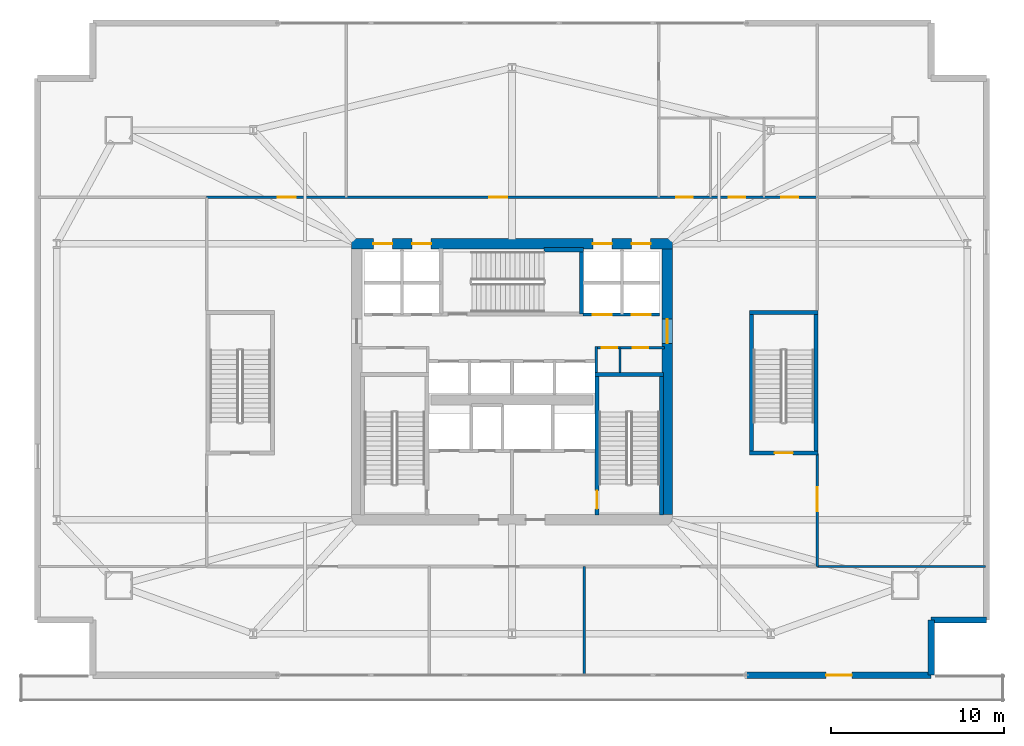
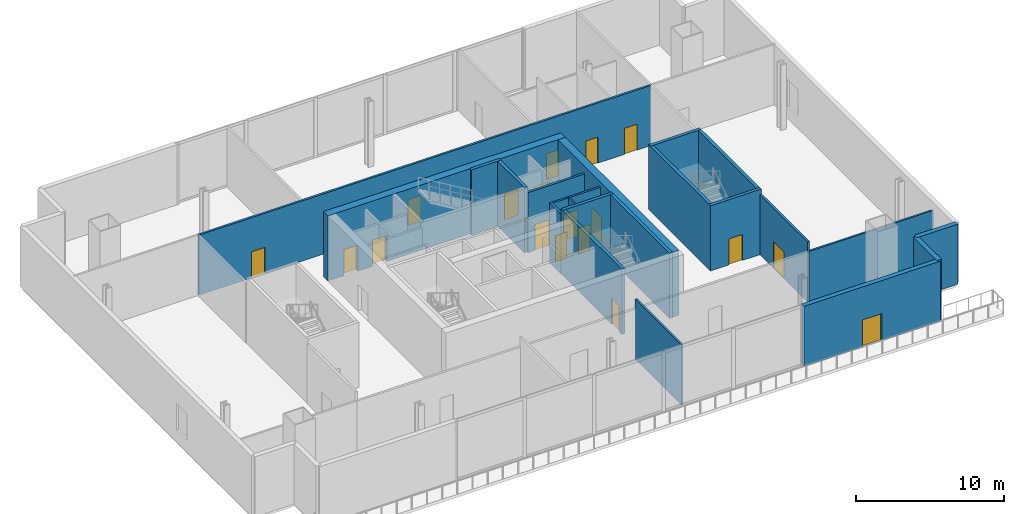
# One storey, part 11 of 16: 22 walls, 18 doors, 18 openings.
"""IFC4 building model written with IfcOpenShell, lengths in metres."""

from ifc_helpers import new_model, si_unit, direction, frame, frame_2d, origin, place, context, subcontext, project, spatial, rectangle, extrude, material, layer, layer_set, type_object, element, fill, save


model = new_model("IFC4")

# Units and contexts
model_context = context("Model", 3, precision=1e-05, world=origin(), true_north=direction((0.0, 1.0)))
body_context = subcontext(model_context, "Body", "Model", "MODEL_VIEW")
ifc_project = project(units=[si_unit("LENGTHUNIT", "METRE"), si_unit("AREAUNIT", "SQUARE_METRE"), si_unit("VOLUMEUNIT", "CUBIC_METRE"), si_unit("PLANEANGLEUNIT", "RADIAN"), si_unit("MASSUNIT", "GRAM", prefix="KILO")], contexts=[model_context])

# Site, building, storey
site_placement = place(None, origin())
site = spatial("IfcSite", under=ifc_project, at=site_placement, CompositionType="ELEMENT")
building_placement = place(site_placement, origin())
building = spatial("IfcBuilding", under=site, at=building_placement, Name="Haldenkirk Collegiate Tower", CompositionType="ELEMENT")
storey_placement = place(building_placement, frame((0.0, 0.0, 16.800048828125)))
storey = spatial("IfcBuildingStorey", under=building, at=storey_placement, Name="L03", CompositionType="ELEMENT", Elevation=16.800048828125)

# Wall, openings, doors
ifc_material_1 = material(Name="Concrete f'c 70 MPa", Category="concrete")
ifc_layer_1 = layer(ifc_material_1, 0.60009765625)
ifc_layer_set_1 = layer_set([ifc_layer_1], Name="Concrete f'c 70 MPa")
wall_type_1 = type_object("IfcWallType", Name="WL-CORE-600", PredefinedType="SHEAR", material=ifc_layer_set_1)
wall_1_placement = place(storey_placement, frame((26.699951171875, 34.0, 0.0), z_axis=(0.0, 0.0, 1.0), x_axis=(1.0, 0.0, 0.0)))
wall_1 = element("IfcWall", 1, at=wall_1_placement, inside=storey, type_object=wall_type_1, Name="L03 central core shear wall N", PredefinedType="SHEAR", context=body_context, shape_type="SweptSolid", body=[
    extrude(rectangle(XDim=18.60009765625, YDim=0.60009765625, at=frame_2d((9.300048828125, 0.0))), origin(), (0.0, 0.0, 1.0), 5.39990234375),
])
opening_1_placement = place(wall_1_placement, frame((1.264892578125, 0.0, 0.0)))
opening_1 = element("IfcOpeningElement", 2, at=opening_1_placement, cuts=wall_1, Name="Opening LD-11", PredefinedType="OPENING", context=body_context, shape_type="SweptSolid", body=[
    extrude(rectangle(XDim=1.10009765625, YDim=2.14990234375, at=frame_2d((0.550048828125, 1.074951171875))), frame((0.0, 0.31005859375, 0.0), z_axis=(0.0, -1.0, 0.0), x_axis=(1.0, 0.0, 0.0)), (0.0, 0.0, 1.0), 0.6201171875),
])
opening_2_placement = place(wall_1_placement, frame((3.514892578125, 0.0, 0.0)))
opening_2 = element("IfcOpeningElement", 3, at=opening_2_placement, cuts=wall_1, Name="Opening LD-11", PredefinedType="OPENING", context=body_context, shape_type="SweptSolid", body=[
    extrude(rectangle(XDim=1.10009765625, YDim=2.14990234375, at=frame_2d((0.550048828125, 1.074951171875))), frame((0.0, 0.31005859375, 0.0), z_axis=(0.0, -1.0, 0.0), x_axis=(1.0, 0.0, 0.0)), (0.0, 0.0, 1.0), 0.6201171875),
])
opening_3_placement = place(wall_1_placement, frame((13.985107421875, 0.0, 0.0)))
opening_3 = element("IfcOpeningElement", 4, at=opening_3_placement, cuts=wall_1, Name="Opening LD-11", PredefinedType="OPENING", context=body_context, shape_type="SweptSolid", body=[
    extrude(rectangle(XDim=1.10009765625, YDim=2.14990234375, at=frame_2d((0.550048828125, 1.074951171875))), frame((0.0, 0.31005859375, 0.0), z_axis=(0.0, -1.0, 0.0), x_axis=(1.0, 0.0, 0.0)), (0.0, 0.0, 1.0), 0.6201171875),
])
opening_4_placement = place(wall_1_placement, frame((16.235107421875, 0.0, 0.0)))
opening_4 = element("IfcOpeningElement", 5, at=opening_4_placement, cuts=wall_1, Name="Opening LD-11", PredefinedType="OPENING", context=body_context, shape_type="SweptSolid", body=[
    extrude(rectangle(XDim=1.10009765625, YDim=2.14990234375, at=frame_2d((0.550048828125, 1.074951171875))), frame((0.0, 0.31005859375, 0.0), z_axis=(0.0, -1.0, 0.0), x_axis=(1.0, 0.0, 0.0)), (0.0, 0.0, 1.0), 0.6201171875),
])
ifc_material_2 = material(Name="Brushed architectural stainless steel", Category="steel")
ifc_layer_2 = layer(ifc_material_2, 0.06005859375)
ifc_layer_set_2 = layer_set([ifc_layer_2], Name="Brushed architectural stainless steel")
door_type_1 = type_object("IfcDoorType", Name="LD-PASS-1100", OperationType="NOTDEFINED", PredefinedType="DOOR", material=ifc_layer_set_2)
door_1_placement = place(opening_1_placement, origin())
door_1 = element("IfcDoor", 6, at=door_1_placement, inside=storey, type_object=door_type_1, Name="L03 Elevator PL3 sliding landing door", OperationType="SLIDING_TO_LEFT", OverallHeight=2.14990234375, OverallWidth=1.10009765625, PredefinedType="DOOR", context=body_context, shape_type="SweptSolid", body=[
    extrude(rectangle(XDim=1.10009765625, YDim=2.14990234375, at=frame_2d((0.550048828125, 1.074951171875))), frame((0.0, 0.02490234375, 0.0), z_axis=(0.0, -1.0, 0.0), x_axis=(1.0, 0.0, 0.0)), (0.0, 0.0, 1.0), 0.050048828125),
])
fill(opening_1, door_1)
door_2_placement = place(opening_2_placement, origin())
door_2 = element("IfcDoor", 7, at=door_2_placement, inside=storey, type_object=door_type_1, Name="L03 Elevator PL4 sliding landing door", OperationType="SLIDING_TO_LEFT", OverallHeight=2.14990234375, OverallWidth=1.10009765625, PredefinedType="DOOR", context=body_context, shape_type="SweptSolid", body=[
    extrude(rectangle(XDim=1.10009765625, YDim=2.14990234375, at=frame_2d((0.550048828125, 1.074951171875))), frame((0.0, 0.02490234375, 0.0), z_axis=(0.0, -1.0, 0.0), x_axis=(1.0, 0.0, 0.0)), (0.0, 0.0, 1.0), 0.050048828125),
])
fill(opening_2, door_2)
door_3_placement = place(opening_3_placement, origin())
door_3 = element("IfcDoor", 8, at=door_3_placement, inside=storey, type_object=door_type_1, Name="L03 Elevator PM3 sliding landing door", OperationType="SLIDING_TO_LEFT", OverallHeight=2.14990234375, OverallWidth=1.10009765625, PredefinedType="DOOR", context=body_context, shape_type="SweptSolid", body=[
    extrude(rectangle(XDim=1.10009765625, YDim=2.14990234375, at=frame_2d((0.550048828125, 1.074951171875))), frame((0.0, 0.02490234375, 0.0), z_axis=(0.0, -1.0, 0.0), x_axis=(1.0, 0.0, 0.0)), (0.0, 0.0, 1.0), 0.050048828125),
])
fill(opening_3, door_3)
door_4_placement = place(opening_4_placement, origin())
door_4 = element("IfcDoor", 9, at=door_4_placement, inside=storey, type_object=door_type_1, Name="L03 Elevator PM4 sliding landing door", OperationType="SLIDING_TO_LEFT", OverallHeight=2.14990234375, OverallWidth=1.10009765625, PredefinedType="DOOR", context=body_context, shape_type="SweptSolid", body=[
    extrude(rectangle(XDim=1.10009765625, YDim=2.14990234375, at=frame_2d((0.550048828125, 1.074951171875))), frame((0.0, 0.02490234375, 0.0), z_axis=(0.0, -1.0, 0.0), x_axis=(1.0, 0.0, 0.0)), (0.0, 0.0, 1.0), 0.050048828125),
])
fill(opening_4, door_4)

# Wall, opening, door
wall_2_placement = place(storey_placement, frame((45.0, 18.300048828125, 0.0), z_axis=(0.0, 0.0, 1.0), x_axis=(0.0, 1.0, 0.0)))
wall_2 = element("IfcWall", 10, at=wall_2_placement, inside=storey, type_object=wall_type_1, Name="L03 central core shear wall E", PredefinedType="SHEAR", context=body_context, shape_type="SweptSolid", body=[
    extrude(rectangle(XDim=15.39990234375, YDim=0.60009765625, at=frame_2d((7.699951171875, 0.0))), origin(), (0.0, 0.0, 1.0), 5.39990234375),
])
opening_5_placement = place(wall_2_placement, frame((9.93994140625, 0.0, 0.0)))
opening_5 = element("IfcOpeningElement", 11, at=opening_5_placement, cuts=wall_2, Name="Opening D-03", PredefinedType="OPENING", context=body_context, shape_type="SweptSolid", body=[
    extrude(rectangle(XDim=1.39990234375, YDim=2.199951171875, at=frame_2d((0.699951171875, 1.10009765625))), frame((0.0, 0.31005859375, 0.0), z_axis=(0.0, -1.0, 0.0), x_axis=(1.0, 0.0, 0.0)), (0.0, 0.0, 1.0), 0.6201171875),
])
ifc_material_3 = material(Name="Galvanized fire-rated hollow steel door", Category="steel")
ifc_layer_3 = layer(ifc_material_3, 0.06005859375)
ifc_layer_set_3 = layer_set([ifc_layer_3], Name="Galvanized fire-rated hollow steel door")
door_type_2 = type_object("IfcDoorType", Name="DR-LOBBY-FD90-1400", OperationType="NOTDEFINED", PredefinedType="DOOR", material=ifc_layer_set_3)
door_5_placement = place(opening_5_placement, origin())
door_5 = element("IfcDoor", 12, at=door_5_placement, inside=storey, type_object=door_type_2, Name="L03 east lift lobby portal", OperationType="DOUBLE_DOOR_SINGLE_SWING", OverallHeight=2.199951171875, OverallWidth=1.39990234375, PredefinedType="DOOR", context=body_context, shape_type="SweptSolid", body=[
    extrude(rectangle(XDim=1.39990234375, YDim=2.199951171875, at=frame_2d((0.699951171875, 1.10009765625))), frame((0.0, 0.02490234375, 0.0), z_axis=(0.0, -1.0, 0.0), x_axis=(1.0, 0.0, 0.0)), (0.0, 0.0, 1.0), 0.050048828125),
])
fill(opening_5, door_5)

ifc_material_4 = material(Name="Precast concrete f'c 40 MPa", Category="concrete")
ifc_layer_4 = layer(ifc_material_4, 0.360107421875)
ifc_layer_set_4 = layer_set([ifc_layer_4], Name="Precast concrete f'c 40 MPa")
wall_type_2 = type_object("IfcWallType", Name="WL-EXT-POD-360", PredefinedType="STANDARD", material=ifc_layer_set_4)
wall_3_placement = place(storey_placement, frame((60.300048828125, 9.0, 0.0), z_axis=(0.0, 0.0, 1.0), x_axis=(-1.0, 0.0, 0.0)))
wall_3 = element("IfcWall", 13, at=wall_3_placement, inside=storey, type_object=wall_type_2, Name="L03 podium precast frame pier 1L", PredefinedType="STANDARD", context=body_context, shape_type="SweptSolid", body=[
    extrude(rectangle(XDim=10.692138671875, YDim=0.360107421875, at=frame_2d((5.34619140625, 0.0))), origin(), (0.0, 0.0, 1.0), 4.97998046875),
])
opening_6_placement = place(wall_3_placement, frame((4.595947265625, 0.0, 0.0)))
opening_6 = element("IfcOpeningElement", 14, at=opening_6_placement, cuts=wall_3, Name="Opening D-PT15", PredefinedType="OPENING", context=body_context, shape_type="SweptSolid", body=[
    extrude(rectangle(XDim=1.5, YDim=2.25, at=frame_2d((0.75, 1.125))), frame((0.0, 0.18994140625, 0.0), z_axis=(0.0, -1.0, 0.0), x_axis=(1.0, 0.0, 0.0)), (0.0, 0.0, 1.0), 0.380126953125),
])
ifc_material_5 = material(Name="Anodised architectural bronze aluminium", Category="aluminium")
ifc_layer_5 = layer(ifc_material_5, 0.080078125)
ifc_layer_set_5 = layer_set([ifc_layer_5], Name="Anodised architectural bronze aluminium")
door_type_3 = type_object("IfcDoorType", Name="DR-EXT-PTER-1500", OperationType="NOTDEFINED", PredefinedType="DOOR", material=ifc_layer_set_5)
door_6_placement = place(opening_6_placement, origin())
door_6 = element("IfcDoor", 15, at=door_6_placement, inside=storey, type_object=door_type_3, Name="L03 south cascade terrace door", OperationType="DOUBLE_DOOR_SINGLE_SWING", OverallHeight=2.25, OverallWidth=1.5, PredefinedType="DOOR", context=body_context, shape_type="SweptSolid", body=[
    extrude(rectangle(XDim=1.5, YDim=2.25, at=frame_2d((0.75, 1.125))), frame((0.0, 0.02490234375, 0.0), z_axis=(0.0, -1.0, 0.0), x_axis=(1.0, 0.0, 0.0)), (0.0, 0.0, 1.0), 0.050048828125),
])
fill(opening_6, door_6)

# Walls
for number, where, z_axis, x_axis, name in (
    (16, (60.300048828125, 12.199951171875, 0.0), (0.0, 0.0, 1.0), (0.0, -1.0, 0.0), "L03 podium bronze precast wall 02"),
    (17, (63.5, 12.199951171875, 0.0), (0.0, 0.0, 1.0), (-1.0, 0.0, 0.0), "L03 podium bronze precast wall 03"),
):
    element("IfcWall", number, at=place(storey_placement, frame(where, z_axis=z_axis, x_axis=x_axis)), inside=storey, type_object=wall_type_2, Name=name, PredefinedType="STANDARD", context=body_context, shape_type="SweptSolid", body=[
        extrude(rectangle(XDim=3.199951171875, YDim=0.360107421875, at=frame_2d((1.60009765625, 0.0))), origin(), (0.0, 0.0, 1.0), 4.97998046875),
    ])

# Wall, openings, doors
ifc_material_6 = material(Name="Acoustic fire-rated gypsum partition", Category="concrete")
ifc_layer_6 = layer(ifc_material_6, 0.159912109375)
ifc_layer_set_6 = layer_set([ifc_layer_6], Name="Acoustic fire-rated gypsum partition")
wall_type_3 = type_object("IfcWallType", Name="WL-INT-CORR-160", PredefinedType="PARTITIONING", material=ifc_layer_set_6)
wall_4_placement = place(storey_placement, frame((40.800048828125, 27.97998046875, 0.0), z_axis=(0.0, 0.0, 1.0), x_axis=(1.0, 0.0, 0.0)))
wall_4 = element("IfcWall", 18, at=wall_4_placement, inside=storey, type_object=wall_type_3, Name="L03 interior partition IW-L03-VCSE-N", PredefinedType="PARTITIONING", context=body_context, shape_type="SweptSolid", body=[
    extrude(rectangle(XDim=4.050048828125, YDim=0.159912109375, at=frame_2d((2.02490234375, 0.0))), origin(), (0.0, 0.0, 1.0), 4.97998046875),
])
opening_7_placement = place(wall_4_placement, frame((0.407470703125, 0.0, 0.0)))
opening_7 = element("IfcOpeningElement", 19, at=opening_7_placement, cuts=wall_4, Name="Opening D-11", PredefinedType="OPENING", context=body_context, shape_type="SweptSolid", body=[
    extrude(rectangle(XDim=0.89990234375, YDim=2.14990234375, at=frame_2d((0.449951171875, 1.074951171875))), frame((0.0, 0.08984375, 0.0), z_axis=(0.0, -1.0, 0.0), x_axis=(1.0, 0.0, 0.0)), (0.0, 0.0, 1.0), 0.179931640625),
])
opening_8_placement = place(wall_4_placement, frame((2.199951171875, 0.0, 0.0)))
opening_8 = element("IfcOpeningElement", 20, at=opening_8_placement, cuts=wall_4, Name="Opening D-11", PredefinedType="OPENING", context=body_context, shape_type="SweptSolid", body=[
    extrude(rectangle(XDim=0.89990234375, YDim=2.14990234375, at=frame_2d((0.449951171875, 1.074951171875))), frame((0.0, 0.08984375, 0.0), z_axis=(0.0, -1.0, 0.0), x_axis=(1.0, 0.0, 0.0)), (0.0, 0.0, 1.0), 0.179931640625),
])
ifc_material_7 = material(Name="Solid-core architectural oak fire door", Category="wood")
ifc_layer_7 = layer(ifc_material_7, 0.06005859375)
ifc_layer_set_7 = layer_set([ifc_layer_7], Name="Solid-core architectural oak fire door")
door_type_4 = type_object("IfcDoorType", Name="DR-INT-FD60-900", OperationType="NOTDEFINED", PredefinedType="DOOR", material=ifc_layer_set_7)
door_7_placement = place(opening_7_placement, origin())
door_7 = element("IfcDoor", 21, at=door_7_placement, inside=storey, type_object=door_type_4, Name="L03 core copy room door", OperationType="SINGLE_SWING_RIGHT", OverallHeight=2.14990234375, OverallWidth=0.89990234375, PredefinedType="DOOR", context=body_context, shape_type="SweptSolid", body=[
    extrude(rectangle(XDim=0.89990234375, YDim=2.14990234375, at=frame_2d((0.449951171875, 1.074951171875))), frame((0.0, 0.02490234375, 0.0), z_axis=(0.0, -1.0, 0.0), x_axis=(1.0, 0.0, 0.0)), (0.0, 0.0, 1.0), 0.050048828125),
])
fill(opening_7, door_7)
door_8_placement = place(opening_8_placement, origin())
door_8 = element("IfcDoor", 22, at=door_8_placement, inside=storey, type_object=door_type_4, Name="L03 core records store door", OperationType="SINGLE_SWING_LEFT", OverallHeight=2.14990234375, OverallWidth=0.89990234375, PredefinedType="DOOR", context=body_context, shape_type="SweptSolid", body=[
    extrude(rectangle(XDim=0.89990234375, YDim=2.14990234375, at=frame_2d((0.449951171875, 1.074951171875))), frame((0.0, 0.02490234375, 0.0), z_axis=(0.0, -1.0, 0.0), x_axis=(1.0, 0.0, 0.0)), (0.0, 0.0, 1.0), 0.050048828125),
])
fill(opening_8, door_8)

# Wall
wall_5_placement = place(storey_placement, frame((40.8798828125, 26.5400390625, 0.0), z_axis=(0.0, 0.0, 1.0), x_axis=(0.0, 1.0, 0.0)))
element("IfcWall", 23, at=wall_5_placement, inside=storey, type_object=wall_type_3, Name="L03 interior partition IW-L03-VCSE-W", PredefinedType="PARTITIONING", context=body_context, shape_type="SweptSolid", body=[
    extrude(rectangle(XDim=1.510009765625, YDim=0.159912109375, at=frame_2d((0.7548828125, 0.0))), origin(), (0.0, 0.0, 1.0), 4.97998046875),
])

# Wall, openings, doors
wall_6_placement = place(storey_placement, frame((18.300048828125, 36.699951171875, 0.0), z_axis=(0.0, 0.0, 1.0), x_axis=(1.0, 0.0, 0.0)))
wall_6 = element("IfcWall", 24, at=wall_6_placement, inside=storey, type_object=wall_type_3, Name="L03 interior partition IW-L03-CN", PredefinedType="PARTITIONING", context=body_context, shape_type="SweptSolid", body=[
    extrude(rectangle(XDim=35.39990234375, YDim=0.159912109375, at=frame_2d((17.699951171875, 0.0))), origin(), (0.0, 0.0, 1.0), 4.97998046875),
])
opening_9_placement = place(wall_6_placement, frame((4.125, 0.0, 0.0)))
opening_9 = element("IfcOpeningElement", 25, at=opening_9_placement, cuts=wall_6, Name="Opening D-09", PredefinedType="OPENING", context=body_context, shape_type="SweptSolid", body=[
    extrude(rectangle(XDim=1.050048828125, YDim=2.14990234375, at=frame_2d((0.52490234375, 1.074951171875))), frame((0.0, 0.08984375, 0.0), z_axis=(0.0, -1.0, 0.0), x_axis=(1.0, 0.0, 0.0)), (0.0, 0.0, 1.0), 0.179931640625),
])
opening_10_placement = place(wall_6_placement, frame((16.375, 0.0, 0.0)))
opening_10 = element("IfcOpeningElement", 26, at=opening_10_placement, cuts=wall_6, Name="Opening D-09", PredefinedType="OPENING", context=body_context, shape_type="SweptSolid", body=[
    extrude(rectangle(XDim=1.050048828125, YDim=2.14990234375, at=frame_2d((0.52490234375, 1.074951171875))), frame((0.0, 0.08984375, 0.0), z_axis=(0.0, -1.0, 0.0), x_axis=(1.0, 0.0, 0.0)), (0.0, 0.0, 1.0), 0.179931640625),
])
opening_11_placement = place(wall_6_placement, frame((27.22509765625, 0.0, 0.0)))
opening_11 = element("IfcOpeningElement", 27, at=opening_11_placement, cuts=wall_6, Name="Opening D-12", PredefinedType="OPENING", context=body_context, shape_type="SweptSolid", body=[
    extrude(rectangle(XDim=0.949951171875, YDim=2.14990234375, at=frame_2d((0.47509765625, 1.074951171875))), frame((0.0, 0.08984375, 0.0), z_axis=(0.0, -1.0, 0.0), x_axis=(1.0, 0.0, 0.0)), (0.0, 0.0, 1.0), 0.179931640625),
])
opening_12_placement = place(wall_6_placement, frame((30.27490234375, 0.0, 0.0)))
opening_12 = element("IfcOpeningElement", 28, at=opening_12_placement, cuts=wall_6, Name="Opening D-12", PredefinedType="OPENING", context=body_context, shape_type="SweptSolid", body=[
    extrude(rectangle(XDim=0.949951171875, YDim=2.14990234375, at=frame_2d((0.47509765625, 1.074951171875))), frame((0.0, 0.08984375, 0.0), z_axis=(0.0, -1.0, 0.0), x_axis=(1.0, 0.0, 0.0)), (0.0, 0.0, 1.0), 0.179931640625),
])
opening_13_placement = place(wall_6_placement, frame((33.300048828125, 0.0, 0.0)))
opening_13 = element("IfcOpeningElement", 29, at=opening_13_placement, cuts=wall_6, Name="Opening D-14", PredefinedType="OPENING", context=body_context, shape_type="SweptSolid", body=[
    extrude(rectangle(XDim=1.0, YDim=2.14990234375, at=frame_2d((0.5, 1.074951171875))), frame((0.0, 0.08984375, 0.0), z_axis=(0.0, -1.0, 0.0), x_axis=(1.0, 0.0, 0.0)), (0.0, 0.0, 1.0), 0.179931640625),
])
ifc_layer_8 = layer(ifc_material_7, 0.06005859375)
ifc_layer_set_8 = layer_set([ifc_layer_8], Name="Solid-core architectural oak fire door")
door_type_5 = type_object("IfcDoorType", Name="DR-INT-ACC-1000", OperationType="NOTDEFINED", PredefinedType="DOOR", material=ifc_layer_set_8)
door_9_placement = place(opening_13_placement, origin())
door_9 = element("IfcDoor", 30, at=door_9_placement, inside=storey, type_object=door_type_5, Name="L03 Accessible WC door", OperationType="SINGLE_SWING_LEFT", OverallHeight=2.14990234375, OverallWidth=1.0, PredefinedType="DOOR", context=body_context, shape_type="SweptSolid", body=[
    extrude(rectangle(XDim=1.0, YDim=2.14990234375, at=frame_2d((0.5, 1.074951171875))), frame((0.0, 0.02490234375, 0.0), z_axis=(0.0, -1.0, 0.0), x_axis=(1.0, 0.0, 0.0)), (0.0, 0.0, 1.0), 0.050048828125),
])
fill(opening_13, door_9)
ifc_layer_9 = layer(ifc_material_7, 0.06005859375)
ifc_layer_set_9 = layer_set([ifc_layer_9], Name="Solid-core architectural oak fire door")
door_type_6 = type_object("IfcDoorType", Name="DR-INT-FD60-1050", OperationType="NOTDEFINED", PredefinedType="DOOR", material=ifc_layer_set_9)
door_10_placement = place(opening_9_placement, origin())
door_10 = element("IfcDoor", 31, at=door_10_placement, inside=storey, type_object=door_type_6, Name="L03 north-west door", OperationType="SINGLE_SWING_RIGHT", OverallHeight=2.14990234375, OverallWidth=1.050048828125, PredefinedType="DOOR", context=body_context, shape_type="SweptSolid", body=[
    extrude(rectangle(XDim=1.050048828125, YDim=2.14990234375, at=frame_2d((0.52490234375, 1.074951171875))), frame((0.0, 0.02490234375, 0.0), z_axis=(0.0, -1.0, 0.0), x_axis=(1.0, 0.0, 0.0)), (0.0, 0.0, 1.0), 0.050048828125),
])
fill(opening_9, door_10)
door_11_placement = place(opening_10_placement, origin())
door_11 = element("IfcDoor", 32, at=door_11_placement, inside=storey, type_object=door_type_6, Name="L03 north door", OperationType="SINGLE_SWING_LEFT", OverallHeight=2.14990234375, OverallWidth=1.050048828125, PredefinedType="DOOR", context=body_context, shape_type="SweptSolid", body=[
    extrude(rectangle(XDim=1.050048828125, YDim=2.14990234375, at=frame_2d((0.52490234375, 1.074951171875))), frame((0.0, 0.02490234375, 0.0), z_axis=(0.0, -1.0, 0.0), x_axis=(1.0, 0.0, 0.0)), (0.0, 0.0, 1.0), 0.050048828125),
])
fill(opening_10, door_11)
ifc_layer_10 = layer(ifc_material_7, 0.06005859375)
ifc_layer_set_10 = layer_set([ifc_layer_10], Name="Solid-core architectural oak fire door")
door_type_7 = type_object("IfcDoorType", Name="DR-INT-STD-950", OperationType="NOTDEFINED", PredefinedType="DOOR", material=ifc_layer_set_10)
door_12_placement = place(opening_11_placement, origin())
door_12 = element("IfcDoor", 33, at=door_12_placement, inside=storey, type_object=door_type_7, Name="L03 Male WC door", OperationType="SINGLE_SWING_LEFT", OverallHeight=2.14990234375, OverallWidth=0.949951171875, PredefinedType="DOOR", context=body_context, shape_type="SweptSolid", body=[
    extrude(rectangle(XDim=0.949951171875, YDim=2.14990234375, at=frame_2d((0.47509765625, 1.074951171875))), frame((0.0, 0.02490234375, 0.0), z_axis=(0.0, -1.0, 0.0), x_axis=(1.0, 0.0, 0.0)), (0.0, 0.0, 1.0), 0.050048828125),
])
fill(opening_11, door_12)
door_13_placement = place(opening_12_placement, origin())
door_13 = element("IfcDoor", 34, at=door_13_placement, inside=storey, type_object=door_type_7, Name="L03 Female WC door", OperationType="SINGLE_SWING_RIGHT", OverallHeight=2.14990234375, OverallWidth=0.949951171875, PredefinedType="DOOR", context=body_context, shape_type="SweptSolid", body=[
    extrude(rectangle(XDim=0.949951171875, YDim=2.14990234375, at=frame_2d((0.47509765625, 1.074951171875))), frame((0.0, 0.02490234375, 0.0), z_axis=(0.0, -1.0, 0.0), x_axis=(1.0, 0.0, 0.0)), (0.0, 0.0, 1.0), 0.050048828125),
])
fill(opening_12, door_13)

# Wall, opening, door
wall_7_placement = place(storey_placement, frame((53.699951171875, 15.300048828125, 0.0), z_axis=(0.0, 0.0, 1.0), x_axis=(0.0, 1.0, 0.0)))
wall_7 = element("IfcWall", 35, at=wall_7_placement, inside=storey, type_object=wall_type_3, Name="L03 interior partition IW-L03-CE1", PredefinedType="PARTITIONING", context=body_context, shape_type="SweptSolid", body=[
    extrude(rectangle(XDim=6.550048828125, YDim=0.159912109375, at=frame_2d((3.27490234375, 0.0))), origin(), (0.0, 0.0, 1.0), 4.97998046875),
])
opening_14_placement = place(wall_7_placement, frame((3.199951171875, 0.0, 0.0)))
opening_14 = element("IfcOpeningElement", 36, at=opening_14_placement, cuts=wall_7, Name="Opening D-07", PredefinedType="OPENING", context=body_context, shape_type="SweptSolid", body=[
    extrude(rectangle(XDim=1.39990234375, YDim=2.199951171875, at=frame_2d((0.699951171875, 1.10009765625))), frame((0.0, 0.08984375, 0.0), z_axis=(0.0, -1.0, 0.0), x_axis=(1.0, 0.0, 0.0)), (0.0, 0.0, 1.0), 0.179931640625),
])
ifc_layer_11 = layer(ifc_material_3, 0.06005859375)
ifc_layer_set_11 = layer_set([ifc_layer_11], Name="Galvanized fire-rated hollow steel door")
door_type_8 = type_object("IfcDoorType", Name="DR-LOBBY-FD60-1400", OperationType="NOTDEFINED", PredefinedType="DOOR", material=ifc_layer_set_11)
door_14_placement = place(opening_14_placement, origin())
door_14 = element("IfcDoor", 37, at=door_14_placement, inside=storey, type_object=door_type_8, Name="L03 east wing door", OperationType="DOUBLE_DOOR_SINGLE_SWING", OverallHeight=2.199951171875, OverallWidth=1.39990234375, PredefinedType="DOOR", context=body_context, shape_type="SweptSolid", body=[
    extrude(rectangle(XDim=1.39990234375, YDim=2.199951171875, at=frame_2d((0.699951171875, 1.10009765625))), frame((0.0, 0.02490234375, 0.0), z_axis=(0.0, -1.0, 0.0), x_axis=(1.0, 0.0, 0.0)), (0.0, 0.0, 1.0), 0.050048828125),
])
fill(opening_14, door_14)

# Walls
ifc_layer_12 = layer(ifc_material_6, 0.139892578125)
ifc_layer_set_12 = layer_set([ifc_layer_12], Name="Acoustic fire-rated gypsum partition")
wall_type_4 = type_object("IfcWallType", Name="WL-INT-DIV-140", PredefinedType="PARTITIONING", material=ifc_layer_set_12)
wall_8_placement = place(storey_placement, frame((53.699951171875, 15.300048828125, 0.0), z_axis=(0.0, 0.0, 1.0), x_axis=(1.0, 0.0, 0.0)))
element("IfcWall", 38, at=wall_8_placement, inside=storey, type_object=wall_type_4, Name="L03 interior partition IW-L03-ECS1", PredefinedType="PARTITIONING", context=body_context, shape_type="SweptSolid", body=[
    extrude(rectangle(XDim=9.760009765625, YDim=0.139892578125, at=frame_2d((4.8798828125, 0.0))), origin(), (0.0, 0.0, 1.0), 4.201904296875),
])
wall_9_placement = place(storey_placement, frame((40.199951171875, 9.0400390625, 0.0), z_axis=(0.0, 0.0, 1.0), x_axis=(0.0, 1.0, 0.0)))
element("IfcWall", 39, at=wall_9_placement, inside=storey, type_object=wall_type_4, Name="L03 interior partition IW-L03-SD2", PredefinedType="PARTITIONING", context=body_context, shape_type="SweptSolid", body=[
    extrude(rectangle(XDim=6.260009765625, YDim=0.139892578125, at=frame_2d((3.1298828125, 0.0))), origin(), (0.0, 0.0, 1.0), 4.97998046875),
])

# Wall, openings, doors
ifc_material_8 = material(Name="Fire-rated gypsum shaftboard assembly", Category="concrete")
ifc_layer_13 = layer(ifc_material_8, 0.179931640625)
ifc_layer_set_13 = layer_set([ifc_layer_13], Name="Fire-rated gypsum shaftboard assembly")
wall_type_5 = type_object("IfcWallType", Name="WL-INT-SHAFT-180", PredefinedType="PARTITIONING", material=ifc_layer_set_13)
wall_10_placement = place(storey_placement, frame((40.1201171875, 29.89990234375, 0.0), z_axis=(0.0, 0.0, 1.0), x_axis=(1.0, 0.0, 0.0)))
wall_10 = element("IfcWall", 40, at=wall_10_placement, inside=storey, type_object=wall_type_5, Name="L03 interior partition IW-L03-PMS", PredefinedType="PARTITIONING", context=body_context, shape_type="SweptSolid", body=[
    extrude(rectangle(XDim=4.429931640625, YDim=0.179931640625, at=frame_2d((2.21484375, 0.0))), origin(), (0.0, 0.0, 1.0), 4.97998046875),
])
opening_15_placement = place(wall_10_placement, frame((0.56494140625, 0.0, 0.0)))
opening_15 = element("IfcOpeningElement", 41, at=opening_15_placement, cuts=wall_10, Name="Opening LD-11", PredefinedType="OPENING", context=body_context, shape_type="SweptSolid", body=[
    extrude(rectangle(XDim=1.10009765625, YDim=2.14990234375, at=frame_2d((0.550048828125, 1.074951171875))), frame((0.0, 0.099853515625, 0.0), z_axis=(0.0, -1.0, 0.0), x_axis=(1.0, 0.0, 0.0)), (0.0, 0.0, 1.0), 0.199951171875),
])
opening_16_placement = place(wall_10_placement, frame((2.81494140625, 0.0, 0.0)))
opening_16 = element("IfcOpeningElement", 42, at=opening_16_placement, cuts=wall_10, Name="Opening LD-11", PredefinedType="OPENING", context=body_context, shape_type="SweptSolid", body=[
    extrude(rectangle(XDim=1.10009765625, YDim=2.14990234375, at=frame_2d((0.550048828125, 1.074951171875))), frame((0.0, 0.099853515625, 0.0), z_axis=(0.0, -1.0, 0.0), x_axis=(1.0, 0.0, 0.0)), (0.0, 0.0, 1.0), 0.199951171875),
])
door_15_placement = place(opening_15_placement, origin())
door_15 = element("IfcDoor", 43, at=door_15_placement, inside=storey, type_object=door_type_1, Name="L03 Elevator PM1 sliding landing door", OperationType="SLIDING_TO_LEFT", OverallHeight=2.14990234375, OverallWidth=1.10009765625, PredefinedType="DOOR", context=body_context, shape_type="SweptSolid", body=[
    extrude(rectangle(XDim=1.10009765625, YDim=2.14990234375, at=frame_2d((0.550048828125, 1.074951171875))), frame((0.0, 0.02490234375, 0.0), z_axis=(0.0, -1.0, 0.0), x_axis=(1.0, 0.0, 0.0)), (0.0, 0.0, 1.0), 0.050048828125),
])
fill(opening_15, door_15)
door_16_placement = place(opening_16_placement, origin())
door_16 = element("IfcDoor", 44, at=door_16_placement, inside=storey, type_object=door_type_1, Name="L03 Elevator PM2 sliding landing door", OperationType="SLIDING_TO_LEFT", OverallHeight=2.14990234375, OverallWidth=1.10009765625, PredefinedType="DOOR", context=body_context, shape_type="SweptSolid", body=[
    extrude(rectangle(XDim=1.10009765625, YDim=2.14990234375, at=frame_2d((0.550048828125, 1.074951171875))), frame((0.0, 0.02490234375, 0.0), z_axis=(0.0, -1.0, 0.0), x_axis=(1.0, 0.0, 0.0)), (0.0, 0.0, 1.0), 0.050048828125),
])
fill(opening_16, door_16)

# Wall
ifc_layer_14 = layer(ifc_material_6, 0.1201171875)
ifc_layer_set_14 = layer_set([ifc_layer_14], Name="Acoustic fire-rated gypsum partition")
wall_type_6 = type_object("IfcWallType", Name="WL-INT-WET-120", PredefinedType="PARTITIONING", material=ifc_layer_set_14)
wall_11_placement = place(storey_placement, frame((42.25, 26.5400390625, 0.0), z_axis=(0.0, 0.0, 1.0), x_axis=(0.0, 1.0, 0.0)))
element("IfcWall", 45, at=wall_11_placement, inside=storey, type_object=wall_type_6, Name="L03 interior partition IW-L03-VCSE-M", PredefinedType="PARTITIONING", context=body_context, shape_type="SweptSolid", body=[
    extrude(rectangle(XDim=1.43994140625, YDim=0.1201171875, at=frame_2d((0.719970703125, 0.0))), origin(), (0.0, 0.0, 1.0), 4.97998046875),
])

# Wall, opening, door
ifc_material_9 = material(Name="Concrete f'c 55 MPa", Category="concrete")
ifc_layer_15 = layer(ifc_material_9, 0.239990234375)
ifc_layer_set_15 = layer_set([ifc_layer_15], Name="Concrete f'c 55 MPa")
wall_type_7 = type_object("IfcWallType", Name="WL-SHAFT-240", PredefinedType="SHEAR", material=ifc_layer_set_15)
wall_12_placement = place(storey_placement, frame((40.929931640625, 18.280029296875, 0.0), z_axis=(0.0, 0.0, 1.0), x_axis=(0.0, 1.0, 0.0)))
wall_12 = element("IfcWall", 46, at=wall_12_placement, inside=storey, type_object=wall_type_7, Name="L03 stair shaft shear wall SW-L03-ST2W", PredefinedType="SHEAR", context=body_context, shape_type="SweptSolid", body=[
    extrude(rectangle(XDim=8.260009765625, YDim=0.239990234375, at=frame_2d((4.1298828125, 0.0))), origin(), (0.0, 0.0, 1.0), 5.39990234375),
])
opening_17_placement = place(wall_12_placement, frame((0.364990234375, 0.0, 0.0)))
opening_17 = element("IfcOpeningElement", 47, at=opening_17_placement, cuts=wall_12, Name="Opening D-01", PredefinedType="OPENING", context=body_context, shape_type="SweptSolid", body=[
    extrude(rectangle(XDim=1.050048828125, YDim=2.14990234375, at=frame_2d((0.52490234375, 1.074951171875))), frame((0.0, 0.1298828125, 0.0), z_axis=(0.0, -1.0, 0.0), x_axis=(1.0, 0.0, 0.0)), (0.0, 0.0, 1.0), 0.260009765625),
])
ifc_layer_16 = layer(ifc_material_3, 0.06005859375)
ifc_layer_set_16 = layer_set([ifc_layer_16], Name="Galvanized fire-rated hollow steel door")
door_type_9 = type_object("IfcDoorType", Name="DR-STAIR-FD90-1050", OperationType="NOTDEFINED", PredefinedType="DOOR", material=ifc_layer_set_16)
door_17_placement = place(opening_17_placement, origin())
door_17 = element("IfcDoor", 48, at=door_17_placement, inside=storey, type_object=door_type_9, Name="L03 Stair 2 door", OperationType="SINGLE_SWING_RIGHT", OverallHeight=2.14990234375, OverallWidth=1.050048828125, PredefinedType="DOOR", context=body_context, shape_type="SweptSolid", body=[
    extrude(rectangle(XDim=1.050048828125, YDim=2.14990234375, at=frame_2d((0.52490234375, 1.074951171875))), frame((0.0, 0.02490234375, 0.0), z_axis=(0.0, -1.0, 0.0), x_axis=(1.0, 0.0, 0.0)), (0.0, 0.0, 1.0), 0.050048828125),
])
fill(opening_17, door_17)

# Walls
wall_13_placement = place(storey_placement, frame((40.81005859375, 26.419921875, 0.0), z_axis=(0.0, 0.0, 1.0), x_axis=(1.0, 0.0, 0.0)))
element("IfcWall", 49, at=wall_13_placement, inside=storey, type_object=wall_type_7, Name="L03 stair shaft shear wall SW-L03-ST2N", PredefinedType="SHEAR", context=body_context, shape_type="SweptSolid", body=[
    extrude(rectangle(XDim=3.97998046875, YDim=0.239990234375, at=frame_2d((1.989990234375, 0.0))), origin(), (0.0, 0.0, 1.0), 5.39990234375),
])
wall_14_placement = place(storey_placement, frame((44.669921875, 18.280029296875, 0.0), z_axis=(0.0, 0.0, 1.0), x_axis=(0.0, 1.0, 0.0)))
element("IfcWall", 50, at=wall_14_placement, inside=storey, type_object=wall_type_7, Name="L03 stair shaft shear wall SW-L03-ST2E", PredefinedType="SHEAR", context=body_context, shape_type="SweptSolid", body=[
    extrude(rectangle(XDim=8.260009765625, YDim=0.239990234375, at=frame_2d((4.1298828125, 0.0))), origin(), (0.0, 0.0, 1.0), 5.39990234375),
])
wall_15_placement = place(storey_placement, frame((40.02001953125, 29.929931640625, 0.0), z_axis=(0.0, 0.0, 1.0), x_axis=(0.0, 1.0, 0.0)))
element("IfcWall", 51, at=wall_15_placement, inside=storey, type_object=wall_type_7, Name="L03 stair shaft shear wall SW-L03-ST3E", PredefinedType="SHEAR", context=body_context, shape_type="SweptSolid", body=[
    extrude(rectangle(XDim=3.85009765625, YDim=0.239990234375, at=frame_2d((1.925048828125, 0.0))), origin(), (0.0, 0.0, 1.0), 5.39990234375),
])
wall_16_placement = place(storey_placement, frame((37.85009765625, 33.659912109375, 0.0), z_axis=(0.0, 0.0, 1.0), x_axis=(1.0, 0.0, 0.0)))
element("IfcWall", 52, at=wall_16_placement, inside=storey, type_object=wall_type_7, Name="L03 stair shaft shear wall SW-L03-ST3N", PredefinedType="SHEAR", context=body_context, shape_type="SweptSolid", body=[
    extrude(rectangle(XDim=2.289794921875, YDim=0.239990234375, at=frame_2d((1.14501953125, 0.0))), origin(), (0.0, 0.0, 1.0), 5.39990234375),
])
for number, where, z_axis, x_axis, name in (
    (53, (49.8798828125, 21.760009765625, 0.0), (0.0, 0.0, 1.0), (0.0, 1.0, 0.0), "L03 stair shaft shear wall SW-L03-ST5W"),
    (54, (53.6201171875, 21.760009765625, 0.0), (0.0, 0.0, 1.0), (0.0, 1.0, 0.0), "L03 stair shaft shear wall SW-L03-ST5E"),
):
    element("IfcWall", number, at=place(storey_placement, frame(where, z_axis=z_axis, x_axis=x_axis)), inside=storey, type_object=wall_type_7, Name=name, PredefinedType="SHEAR", context=body_context, shape_type="SweptSolid", body=[
        extrude(rectangle(XDim=8.3798828125, YDim=0.239990234375, at=frame_2d((4.18994140625, 0.0))), origin(), (0.0, 0.0, 1.0), 5.39990234375),
    ])

# Wall, opening, door
wall_17_placement = place(storey_placement, frame((49.760009765625, 21.8798828125, 0.0), z_axis=(0.0, 0.0, 1.0), x_axis=(1.0, 0.0, 0.0)))
wall_17 = element("IfcWall", 55, at=wall_17_placement, inside=storey, type_object=wall_type_7, Name="L03 stair shaft shear wall SW-L03-ST5S", PredefinedType="SHEAR", context=body_context, shape_type="SweptSolid", body=[
    extrude(rectangle(XDim=3.97998046875, YDim=0.239990234375, at=frame_2d((1.989990234375, 0.0))), origin(), (0.0, 0.0, 1.0), 5.39990234375),
])
opening_18_placement = place(wall_17_placement, frame((1.465087890625, 0.0, 0.0)))
opening_18 = element("IfcOpeningElement", 56, at=opening_18_placement, cuts=wall_17, Name="Opening D-01", PredefinedType="OPENING", context=body_context, shape_type="SweptSolid", body=[
    extrude(rectangle(XDim=1.050048828125, YDim=2.14990234375, at=frame_2d((0.52490234375, 1.074951171875))), frame((0.0, 0.1298828125, 0.0), z_axis=(0.0, -1.0, 0.0), x_axis=(1.0, 0.0, 0.0)), (0.0, 0.0, 1.0), 0.260009765625),
])
door_18_placement = place(opening_18_placement, origin())
door_18 = element("IfcDoor", 57, at=door_18_placement, inside=storey, type_object=door_type_9, Name="L03 Stair 5 door", OperationType="SINGLE_SWING_LEFT", OverallHeight=2.14990234375, OverallWidth=1.050048828125, PredefinedType="DOOR", context=body_context, shape_type="SweptSolid", body=[
    extrude(rectangle(XDim=1.050048828125, YDim=2.14990234375, at=frame_2d((0.52490234375, 1.074951171875))), frame((0.0, 0.02490234375, 0.0), z_axis=(0.0, -1.0, 0.0), x_axis=(1.0, 0.0, 0.0)), (0.0, 0.0, 1.0), 0.050048828125),
])
fill(opening_18, door_18)

# Wall
wall_18_placement = place(storey_placement, frame((49.760009765625, 30.02001953125, 0.0), z_axis=(0.0, 0.0, 1.0), x_axis=(1.0, 0.0, 0.0)))
element("IfcWall", 58, at=wall_18_placement, inside=storey, type_object=wall_type_7, Name="L03 stair shaft shear wall SW-L03-ST5N", PredefinedType="SHEAR", context=body_context, shape_type="SweptSolid", body=[
    extrude(rectangle(XDim=3.97998046875, YDim=0.239990234375, at=frame_2d((1.989990234375, 0.0))), origin(), (0.0, 0.0, 1.0), 5.39990234375),
])

save(model, "model.ifc")
